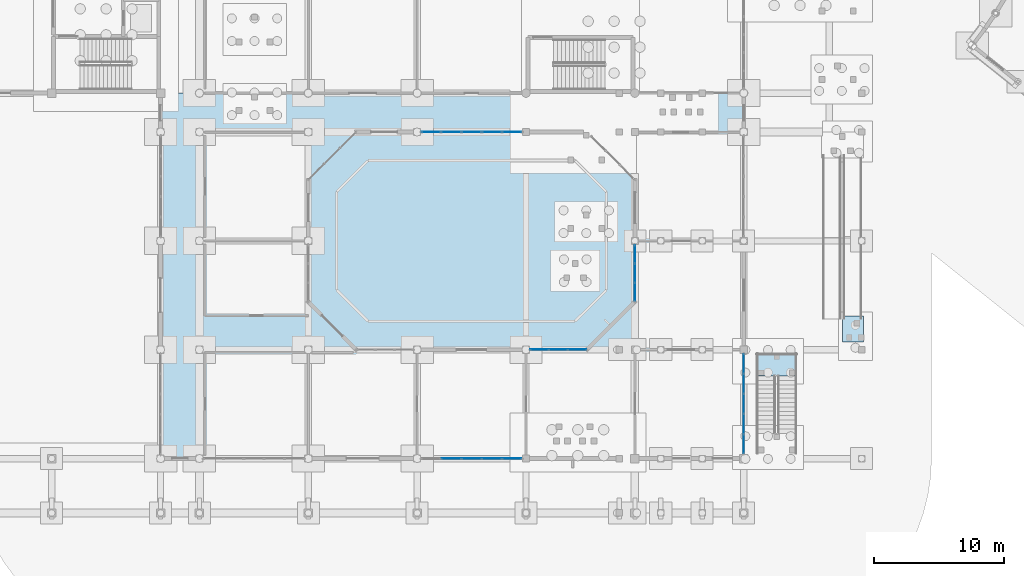
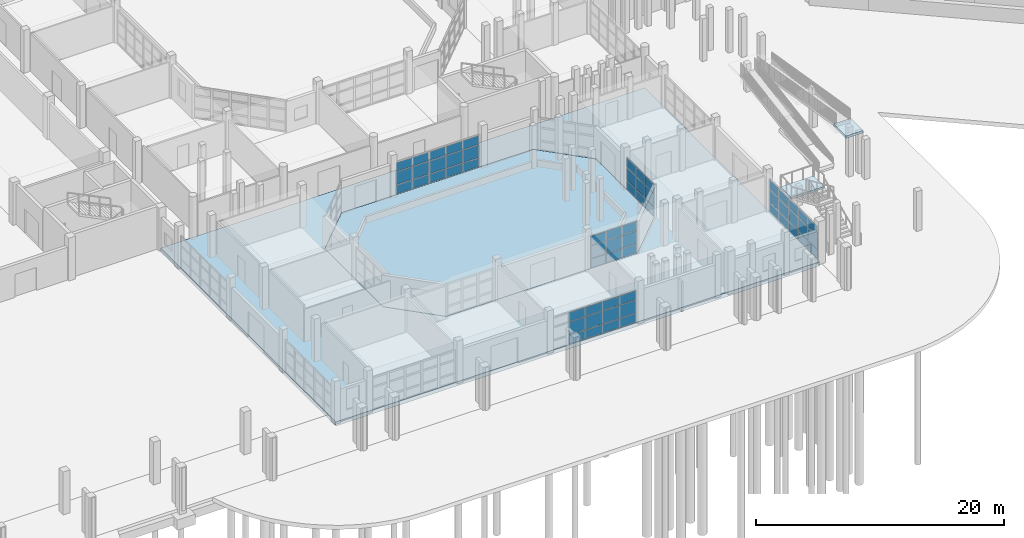
# One storey, part 45 of 88: 60 plates, 4 slabs, 7 elements without a shape of their own.
"""IFC4 building model written with IfcOpenShell, lengths in metres."""

from ifc_helpers import new_model, si_unit, direction, frame, origin, origin_2d, place, context, subcontext, project, spatial, polyline, rectangle, outline, extrude, material, layer, layer_set, type_object, element, aggregate, save


model = new_model("IFC4")

# Units and contexts
model_context = context("Model", 3, precision=1e-05, world=origin(), true_north=direction((0.0, 1.0)))
body_context = subcontext(model_context, "Body", "Model", "MODEL_VIEW")
ifc_project = project(units=[si_unit("LENGTHUNIT", "METRE"), si_unit("AREAUNIT", "SQUARE_METRE"), si_unit("VOLUMEUNIT", "CUBIC_METRE"), si_unit("PLANEANGLEUNIT", "RADIAN"), si_unit("MASSUNIT", "GRAM", prefix="KILO")], contexts=[model_context])

# Site, building, storey
site_placement = place(None, origin())
site = spatial("IfcSite", under=ifc_project, at=site_placement, CompositionType="ELEMENT")
building_placement = place(site_placement, origin())
building = spatial("IfcBuilding", under=site, at=building_placement, Name="Vanh Quang Courtyard School", CompositionType="ELEMENT")
storey_placement = place(building_placement, origin())
storey = spatial("IfcBuildingStorey", under=building, at=storey_placement, Name="L00", CompositionType="ELEMENT", Elevation=0.0)

# Curtain wall, plates
ifc_material_1 = material(Name="Thermally broken aluminium unitised curtain wall", Category="aluminium")
curtain_wall_type_1 = type_object("IfcCurtainWallType", Name="CW-SYS-07", PredefinedType="NOTDEFINED", material=ifc_material_1)
curtain_wall_1_placement = place(storey_placement, origin())
curtain_wall_1 = element("IfcCurtainWall", 1, at=curtain_wall_1_placement, inside=storey, type_object=curtain_wall_type_1, Name="Curtain Wall CW-07 (L00)", PredefinedType="NOTDEFINED")
ifc_material_2 = material(Name="Low-E laminated double glazing", Category="glass")
ifc_layer_1 = layer(ifc_material_2, 0.028076171875)
ifc_layer_set_1 = layer_set([ifc_layer_1], Name="Low-E laminated double glazing")
plate_type_1 = type_object("IfcPlateType", Name="CW-PNL-28", PredefinedType="CURTAIN_PANEL", material=ifc_layer_set_1)
plate_1_placement = place(storey_placement, frame((119.39990234375, 11.523681640625, 0.06005859375), z_axis=(0.0, 0.0, 1.0), x_axis=(0.0, -1.0, 0.0)))
plate_1 = element("IfcPlate", 2, at=plate_1_placement, type_object=plate_type_1, Name="CW-07 panel 1.1", PredefinedType="CURTAIN_PANEL", context=body_context, shape_type="SweptSolid", body=[
    extrude(rectangle(XDim=1.466796875, YDim=0.028076171875, at=origin_2d()), origin(), (0.0, 0.0, 1.0), 0.860107421875),
])
plate_2_placement = place(storey_placement, frame((119.39990234375, 11.523681640625, 0.97998046875), z_axis=(0.0, 0.0, 1.0), x_axis=(0.0, -1.0, 0.0)))
plate_2 = element("IfcPlate", 3, at=plate_2_placement, type_object=plate_type_1, Name="CW-07 panel 1.2", PredefinedType="CURTAIN_PANEL", context=body_context, shape_type="SweptSolid", body=[
    extrude(rectangle(XDim=1.466796875, YDim=0.028076171875, at=origin_2d()), origin(), (0.0, 0.0, 1.0), 1.239990234375),
])
plate_3_placement = place(storey_placement, frame((119.39990234375, 11.523681640625, 2.280029296875), z_axis=(0.0, 0.0, 1.0), x_axis=(0.0, -1.0, 0.0)))
plate_3 = element("IfcPlate", 4, at=plate_3_placement, type_object=plate_type_1, Name="CW-07 panel 1.3", PredefinedType="CURTAIN_PANEL", context=body_context, shape_type="SweptSolid", body=[
    extrude(rectangle(XDim=1.466796875, YDim=0.028076171875, at=origin_2d()), origin(), (0.0, 0.0, 1.0), 0.93994140625),
])
plate_4_placement = place(storey_placement, frame((119.39990234375, 9.981689453125, 0.06005859375), z_axis=(0.0, 0.0, 1.0), x_axis=(0.0, -1.0, 0.0)))
plate_4 = element("IfcPlate", 5, at=plate_4_placement, type_object=plate_type_1, Name="CW-07 panel 2.1", PredefinedType="CURTAIN_PANEL", context=body_context, shape_type="SweptSolid", body=[
    extrude(rectangle(XDim=1.496826171875, YDim=0.028076171875, at=origin_2d()), origin(), (0.0, 0.0, 1.0), 0.860107421875),
])
plate_5_placement = place(storey_placement, frame((119.39990234375, 9.981689453125, 0.97998046875), z_axis=(0.0, 0.0, 1.0), x_axis=(0.0, -1.0, 0.0)))
plate_5 = element("IfcPlate", 6, at=plate_5_placement, type_object=plate_type_1, Name="CW-07 panel 2.2", PredefinedType="CURTAIN_PANEL", context=body_context, shape_type="SweptSolid", body=[
    extrude(rectangle(XDim=1.496826171875, YDim=0.028076171875, at=origin_2d()), origin(), (0.0, 0.0, 1.0), 1.239990234375),
])
plate_6_placement = place(storey_placement, frame((119.39990234375, 9.981689453125, 2.280029296875), z_axis=(0.0, 0.0, 1.0), x_axis=(0.0, -1.0, 0.0)))
plate_6 = element("IfcPlate", 7, at=plate_6_placement, type_object=plate_type_1, Name="CW-07 panel 2.3", PredefinedType="CURTAIN_PANEL", context=body_context, shape_type="SweptSolid", body=[
    extrude(rectangle(XDim=1.496826171875, YDim=0.028076171875, at=origin_2d()), origin(), (0.0, 0.0, 1.0), 0.93994140625),
])
plate_7_placement = place(storey_placement, frame((119.39990234375, 8.425048828125, 0.06005859375), z_axis=(0.0, 0.0, 1.0), x_axis=(0.0, -1.0, 0.0)))
plate_7 = element("IfcPlate", 8, at=plate_7_placement, type_object=plate_type_1, Name="CW-07 panel 3.1", PredefinedType="CURTAIN_PANEL", context=body_context, shape_type="SweptSolid", body=[
    extrude(rectangle(XDim=1.496826171875, YDim=0.028076171875, at=origin_2d()), origin(), (0.0, 0.0, 1.0), 0.860107421875),
])
plate_8_placement = place(storey_placement, frame((119.39990234375, 8.425048828125, 0.97998046875), z_axis=(0.0, 0.0, 1.0), x_axis=(0.0, -1.0, 0.0)))
plate_8 = element("IfcPlate", 9, at=plate_8_placement, type_object=plate_type_1, Name="CW-07 panel 3.2", PredefinedType="CURTAIN_PANEL", context=body_context, shape_type="SweptSolid", body=[
    extrude(rectangle(XDim=1.496826171875, YDim=0.028076171875, at=origin_2d()), origin(), (0.0, 0.0, 1.0), 1.239990234375),
])
plate_9_placement = place(storey_placement, frame((119.39990234375, 8.425048828125, 2.280029296875), z_axis=(0.0, 0.0, 1.0), x_axis=(0.0, -1.0, 0.0)))
plate_9 = element("IfcPlate", 10, at=plate_9_placement, type_object=plate_type_1, Name="CW-07 panel 3.3", PredefinedType="CURTAIN_PANEL", context=body_context, shape_type="SweptSolid", body=[
    extrude(rectangle(XDim=1.496826171875, YDim=0.028076171875, at=origin_2d()), origin(), (0.0, 0.0, 1.0), 0.93994140625),
])
plate_10_placement = place(storey_placement, frame((119.39990234375, 6.8681640625, 0.06005859375), z_axis=(0.0, 0.0, 1.0), x_axis=(0.0, -1.0, 0.0)))
plate_10 = element("IfcPlate", 11, at=plate_10_placement, type_object=plate_type_1, Name="CW-07 panel 4.1", PredefinedType="CURTAIN_PANEL", context=body_context, shape_type="SweptSolid", body=[
    extrude(rectangle(XDim=1.496826171875, YDim=0.028076171875, at=origin_2d()), origin(), (0.0, 0.0, 1.0), 0.860107421875),
])
plate_11_placement = place(storey_placement, frame((119.39990234375, 6.8681640625, 0.97998046875), z_axis=(0.0, 0.0, 1.0), x_axis=(0.0, -1.0, 0.0)))
plate_11 = element("IfcPlate", 12, at=plate_11_placement, type_object=plate_type_1, Name="CW-07 panel 4.2", PredefinedType="CURTAIN_PANEL", context=body_context, shape_type="SweptSolid", body=[
    extrude(rectangle(XDim=1.496826171875, YDim=0.028076171875, at=origin_2d()), origin(), (0.0, 0.0, 1.0), 1.239990234375),
])
plate_12_placement = place(storey_placement, frame((119.39990234375, 6.8681640625, 2.280029296875), z_axis=(0.0, 0.0, 1.0), x_axis=(0.0, -1.0, 0.0)))
plate_12 = element("IfcPlate", 13, at=plate_12_placement, type_object=plate_type_1, Name="CW-07 panel 4.3", PredefinedType="CURTAIN_PANEL", context=body_context, shape_type="SweptSolid", body=[
    extrude(rectangle(XDim=1.496826171875, YDim=0.028076171875, at=origin_2d()), origin(), (0.0, 0.0, 1.0), 0.93994140625),
])
plate_13_placement = place(storey_placement, frame((119.39990234375, 5.326416015625, 0.06005859375), z_axis=(0.0, 0.0, 1.0), x_axis=(0.0, -1.0, 0.0)))
plate_13 = element("IfcPlate", 14, at=plate_13_placement, type_object=plate_type_1, Name="CW-07 panel 5.1", PredefinedType="CURTAIN_PANEL", context=body_context, shape_type="SweptSolid", body=[
    extrude(rectangle(XDim=1.466796875, YDim=0.028076171875, at=origin_2d()), origin(), (0.0, 0.0, 1.0), 0.860107421875),
])
plate_14_placement = place(storey_placement, frame((119.39990234375, 5.326416015625, 0.97998046875), z_axis=(0.0, 0.0, 1.0), x_axis=(0.0, -1.0, 0.0)))
plate_14 = element("IfcPlate", 15, at=plate_14_placement, type_object=plate_type_1, Name="CW-07 panel 5.2", PredefinedType="CURTAIN_PANEL", context=body_context, shape_type="SweptSolid", body=[
    extrude(rectangle(XDim=1.466796875, YDim=0.028076171875, at=origin_2d()), origin(), (0.0, 0.0, 1.0), 1.239990234375),
])
plate_15_placement = place(storey_placement, frame((119.39990234375, 5.326416015625, 2.280029296875), z_axis=(0.0, 0.0, 1.0), x_axis=(0.0, -1.0, 0.0)))
plate_15 = element("IfcPlate", 16, at=plate_15_placement, type_object=plate_type_1, Name="CW-07 panel 5.3", PredefinedType="CURTAIN_PANEL", context=body_context, shape_type="SweptSolid", body=[
    extrude(rectangle(XDim=1.466796875, YDim=0.028076171875, at=origin_2d()), origin(), (0.0, 0.0, 1.0), 0.93994140625),
])
aggregate(curtain_wall_1, [plate_1, plate_2, plate_3, plate_4, plate_5, plate_6, plate_7, plate_8, plate_9, plate_10, plate_11, plate_12, plate_13, plate_14, plate_15])

curtain_wall_type_2 = type_object("IfcCurtainWallType", Name="CW-SYS-10", PredefinedType="NOTDEFINED", material=ifc_material_1)
curtain_wall_2_placement = place(storey_placement, origin())
curtain_wall_2 = element("IfcCurtainWall", 17, at=curtain_wall_2_placement, inside=storey, type_object=curtain_wall_type_2, Name="Curtain Wall CW-10 (L00)", PredefinedType="NOTDEFINED")
plate_16_placement = place(storey_placement, frame((111.0, 17.05029296875, 0.06982421875), z_axis=(0.0, 0.0, 1.0), x_axis=(0.0, 1.0, 0.0)))
plate_16 = element("IfcPlate", 18, at=plate_16_placement, type_object=plate_type_1, Name="CW-10 panel 1.1", PredefinedType="CURTAIN_PANEL", context=body_context, shape_type="SweptSolid", body=[
    extrude(rectangle(XDim=1.36865234375, YDim=0.028076171875, at=origin_2d()), origin(), (0.0, 0.0, 1.0), 0.844970703125),
])
plate_17_placement = place(storey_placement, frame((111.0, 17.05029296875, 0.985107421875), z_axis=(0.0, 0.0, 1.0), x_axis=(0.0, 1.0, 0.0)))
plate_17 = element("IfcPlate", 19, at=plate_17_placement, type_object=plate_type_1, Name="CW-10 panel 1.2", PredefinedType="CURTAIN_PANEL", context=body_context, shape_type="SweptSolid", body=[
    extrude(rectangle(XDim=1.36865234375, YDim=0.028076171875, at=origin_2d()), origin(), (0.0, 0.0, 1.0), 1.22998046875),
])
plate_18_placement = place(storey_placement, frame((111.0, 17.05029296875, 2.28515625), z_axis=(0.0, 0.0, 1.0), x_axis=(0.0, 1.0, 0.0)))
plate_18 = element("IfcPlate", 20, at=plate_18_placement, type_object=plate_type_1, Name="CW-10 panel 1.3", PredefinedType="CURTAIN_PANEL", context=body_context, shape_type="SweptSolid", body=[
    extrude(rectangle(XDim=1.36865234375, YDim=0.028076171875, at=origin_2d()), origin(), (0.0, 0.0, 1.0), 0.864990234375),
])
plate_19_placement = place(storey_placement, frame((111.0, 18.506591796875, 0.06982421875), z_axis=(0.0, 0.0, 1.0), x_axis=(0.0, 1.0, 0.0)))
plate_19 = element("IfcPlate", 21, at=plate_19_placement, type_object=plate_type_1, Name="CW-10 panel 2.1", PredefinedType="CURTAIN_PANEL", context=body_context, shape_type="SweptSolid", body=[
    extrude(rectangle(XDim=1.403564453125, YDim=0.028076171875, at=origin_2d()), origin(), (0.0, 0.0, 1.0), 0.844970703125),
])
plate_20_placement = place(storey_placement, frame((111.0, 18.506591796875, 0.985107421875), z_axis=(0.0, 0.0, 1.0), x_axis=(0.0, 1.0, 0.0)))
plate_20 = element("IfcPlate", 22, at=plate_20_placement, type_object=plate_type_1, Name="CW-10 panel 2.2", PredefinedType="CURTAIN_PANEL", context=body_context, shape_type="SweptSolid", body=[
    extrude(rectangle(XDim=1.403564453125, YDim=0.028076171875, at=origin_2d()), origin(), (0.0, 0.0, 1.0), 1.22998046875),
])
plate_21_placement = place(storey_placement, frame((111.0, 18.506591796875, 2.28515625), z_axis=(0.0, 0.0, 1.0), x_axis=(0.0, 1.0, 0.0)))
plate_21 = element("IfcPlate", 23, at=plate_21_placement, type_object=plate_type_1, Name="CW-10 panel 2.3", PredefinedType="CURTAIN_PANEL", context=body_context, shape_type="SweptSolid", body=[
    extrude(rectangle(XDim=1.403564453125, YDim=0.028076171875, at=origin_2d()), origin(), (0.0, 0.0, 1.0), 0.864990234375),
])
plate_22_placement = place(storey_placement, frame((111.0, 19.962646484375, 0.06982421875), z_axis=(0.0, 0.0, 1.0), x_axis=(0.0, 1.0, 0.0)))
plate_22 = element("IfcPlate", 24, at=plate_22_placement, type_object=plate_type_1, Name="CW-10 panel 3.1", PredefinedType="CURTAIN_PANEL", context=body_context, shape_type="SweptSolid", body=[
    extrude(rectangle(XDim=1.36865234375, YDim=0.028076171875, at=origin_2d()), origin(), (0.0, 0.0, 1.0), 0.844970703125),
])
plate_23_placement = place(storey_placement, frame((111.0, 19.962646484375, 0.985107421875), z_axis=(0.0, 0.0, 1.0), x_axis=(0.0, 1.0, 0.0)))
plate_23 = element("IfcPlate", 25, at=plate_23_placement, type_object=plate_type_1, Name="CW-10 panel 3.2", PredefinedType="CURTAIN_PANEL", context=body_context, shape_type="SweptSolid", body=[
    extrude(rectangle(XDim=1.36865234375, YDim=0.028076171875, at=origin_2d()), origin(), (0.0, 0.0, 1.0), 1.22998046875),
])
plate_24_placement = place(storey_placement, frame((111.0, 19.962646484375, 2.28515625), z_axis=(0.0, 0.0, 1.0), x_axis=(0.0, 1.0, 0.0)))
plate_24 = element("IfcPlate", 26, at=plate_24_placement, type_object=plate_type_1, Name="CW-10 panel 3.3", PredefinedType="CURTAIN_PANEL", context=body_context, shape_type="SweptSolid", body=[
    extrude(rectangle(XDim=1.36865234375, YDim=0.028076171875, at=origin_2d()), origin(), (0.0, 0.0, 1.0), 0.864990234375),
])
aggregate(curtain_wall_2, [plate_16, plate_17, plate_18, plate_19, plate_20, plate_21, plate_22, plate_23, plate_24])

curtain_wall_type_3 = type_object("IfcCurtainWallType", Name="CW-SYS-01", PredefinedType="NOTDEFINED", material=ifc_material_1)
curtain_wall_3_placement = place(storey_placement, origin())
curtain_wall_3 = element("IfcCurtainWall", 27, at=curtain_wall_3_placement, inside=storey, type_object=curtain_wall_type_3, Name="Curtain Wall CW-01 (L00)", PredefinedType="NOTDEFINED")
ifc_layer_2 = layer(ifc_material_2, 0.031982421875)
ifc_layer_set_2 = layer_set([ifc_layer_2], Name="Low-E laminated double glazing")
plate_type_2 = type_object("IfcPlateType", Name="CW-PNL-32", PredefinedType="CURTAIN_PANEL", material=ifc_layer_set_2)
plate_25_placement = place(storey_placement, frame((101.51611328125, 4.199951171875, 0.06982421875), z_axis=(0.0, 0.0, 1.0), x_axis=(-1.0, 0.0, 0.0)))
plate_25 = element("IfcPlate", 28, at=plate_25_placement, type_object=plate_type_2, Name="CW-01 panel 1.1", PredefinedType="CURTAIN_PANEL", context=body_context, shape_type="SweptSolid", body=[
    extrude(rectangle(XDim=1.4619140625, YDim=0.031982421875, at=origin_2d()), origin(), (0.0, 0.0, 1.0), 0.844970703125),
])
plate_26_placement = place(storey_placement, frame((101.51611328125, 4.199951171875, 0.985107421875), z_axis=(0.0, 0.0, 1.0), x_axis=(-1.0, 0.0, 0.0)))
plate_26 = element("IfcPlate", 29, at=plate_26_placement, type_object=plate_type_2, Name="CW-01 panel 1.2", PredefinedType="CURTAIN_PANEL", context=body_context, shape_type="SweptSolid", body=[
    extrude(rectangle(XDim=1.4619140625, YDim=0.031982421875, at=origin_2d()), origin(), (0.0, 0.0, 1.0), 1.22998046875),
])
plate_27_placement = place(storey_placement, frame((101.51611328125, 4.199951171875, 2.28515625), z_axis=(0.0, 0.0, 1.0), x_axis=(-1.0, 0.0, 0.0)))
plate_27 = element("IfcPlate", 30, at=plate_27_placement, type_object=plate_type_2, Name="CW-01 panel 1.3", PredefinedType="CURTAIN_PANEL", context=body_context, shape_type="SweptSolid", body=[
    extrude(rectangle(XDim=1.4619140625, YDim=0.031982421875, at=origin_2d()), origin(), (0.0, 0.0, 1.0), 0.864990234375),
])
plate_28_placement = place(storey_placement, frame((99.966796875, 4.199951171875, 0.06982421875), z_axis=(0.0, 0.0, 1.0), x_axis=(-1.0, 0.0, 0.0)))
plate_28 = element("IfcPlate", 31, at=plate_28_placement, type_object=plate_type_2, Name="CW-01 panel 2.1", PredefinedType="CURTAIN_PANEL", context=body_context, shape_type="SweptSolid", body=[
    extrude(rectangle(XDim=1.496826171875, YDim=0.031982421875, at=origin_2d()), origin(), (0.0, 0.0, 1.0), 0.844970703125),
])
plate_29_placement = place(storey_placement, frame((99.966796875, 4.199951171875, 0.985107421875), z_axis=(0.0, 0.0, 1.0), x_axis=(-1.0, 0.0, 0.0)))
plate_29 = element("IfcPlate", 32, at=plate_29_placement, type_object=plate_type_2, Name="CW-01 panel 2.2", PredefinedType="CURTAIN_PANEL", context=body_context, shape_type="SweptSolid", body=[
    extrude(rectangle(XDim=1.496826171875, YDim=0.031982421875, at=origin_2d()), origin(), (0.0, 0.0, 1.0), 1.22998046875),
])
plate_30_placement = place(storey_placement, frame((99.966796875, 4.199951171875, 2.28515625), z_axis=(0.0, 0.0, 1.0), x_axis=(-1.0, 0.0, 0.0)))
plate_30 = element("IfcPlate", 33, at=plate_30_placement, type_object=plate_type_2, Name="CW-01 panel 2.3", PredefinedType="CURTAIN_PANEL", context=body_context, shape_type="SweptSolid", body=[
    extrude(rectangle(XDim=1.496826171875, YDim=0.031982421875, at=origin_2d()), origin(), (0.0, 0.0, 1.0), 0.864990234375),
])
plate_31_placement = place(storey_placement, frame((98.39990234375, 4.199951171875, 0.06982421875), z_axis=(0.0, 0.0, 1.0), x_axis=(-1.0, 0.0, 0.0)))
plate_31 = element("IfcPlate", 34, at=plate_31_placement, type_object=plate_type_2, Name="CW-01 panel 3.1", PredefinedType="CURTAIN_PANEL", context=body_context, shape_type="SweptSolid", body=[
    extrude(rectangle(XDim=1.496826171875, YDim=0.031982421875, at=origin_2d()), origin(), (0.0, 0.0, 1.0), 0.844970703125),
])
plate_32_placement = place(storey_placement, frame((98.39990234375, 4.199951171875, 0.985107421875), z_axis=(0.0, 0.0, 1.0), x_axis=(-1.0, 0.0, 0.0)))
plate_32 = element("IfcPlate", 35, at=plate_32_placement, type_object=plate_type_2, Name="CW-01 panel 3.2", PredefinedType="CURTAIN_PANEL", context=body_context, shape_type="SweptSolid", body=[
    extrude(rectangle(XDim=1.496826171875, YDim=0.031982421875, at=origin_2d()), origin(), (0.0, 0.0, 1.0), 1.22998046875),
])
plate_33_placement = place(storey_placement, frame((98.39990234375, 4.199951171875, 2.28515625), z_axis=(0.0, 0.0, 1.0), x_axis=(-1.0, 0.0, 0.0)))
plate_33 = element("IfcPlate", 36, at=plate_33_placement, type_object=plate_type_2, Name="CW-01 panel 3.3", PredefinedType="CURTAIN_PANEL", context=body_context, shape_type="SweptSolid", body=[
    extrude(rectangle(XDim=1.496826171875, YDim=0.031982421875, at=origin_2d()), origin(), (0.0, 0.0, 1.0), 0.864990234375),
])
plate_34_placement = place(storey_placement, frame((96.833251953125, 4.199951171875, 0.06982421875), z_axis=(0.0, 0.0, 1.0), x_axis=(-1.0, 0.0, 0.0)))
plate_34 = element("IfcPlate", 37, at=plate_34_placement, type_object=plate_type_2, Name="CW-01 panel 4.1", PredefinedType="CURTAIN_PANEL", context=body_context, shape_type="SweptSolid", body=[
    extrude(rectangle(XDim=1.496826171875, YDim=0.031982421875, at=origin_2d()), origin(), (0.0, 0.0, 1.0), 0.844970703125),
])
plate_35_placement = place(storey_placement, frame((96.833251953125, 4.199951171875, 0.985107421875), z_axis=(0.0, 0.0, 1.0), x_axis=(-1.0, 0.0, 0.0)))
plate_35 = element("IfcPlate", 38, at=plate_35_placement, type_object=plate_type_2, Name="CW-01 panel 4.2", PredefinedType="CURTAIN_PANEL", context=body_context, shape_type="SweptSolid", body=[
    extrude(rectangle(XDim=1.496826171875, YDim=0.031982421875, at=origin_2d()), origin(), (0.0, 0.0, 1.0), 1.22998046875),
])
plate_36_placement = place(storey_placement, frame((96.833251953125, 4.199951171875, 2.28515625), z_axis=(0.0, 0.0, 1.0), x_axis=(-1.0, 0.0, 0.0)))
plate_36 = element("IfcPlate", 39, at=plate_36_placement, type_object=plate_type_2, Name="CW-01 panel 4.3", PredefinedType="CURTAIN_PANEL", context=body_context, shape_type="SweptSolid", body=[
    extrude(rectangle(XDim=1.496826171875, YDim=0.031982421875, at=origin_2d()), origin(), (0.0, 0.0, 1.0), 0.864990234375),
])
aggregate(curtain_wall_3, [plate_25, plate_26, plate_27, plate_28, plate_29, plate_30, plate_31, plate_32, plate_33, plate_34, plate_35, plate_36])

curtain_wall_4_placement = place(storey_placement, origin())
curtain_wall_4 = element("IfcCurtainWall", 40, at=curtain_wall_4_placement, inside=storey, type_object=curtain_wall_type_3, Name="Curtain Wall CW-01 (L00)", PredefinedType="NOTDEFINED")
plate_37_placement = place(storey_placement, frame((101.513671875, 29.39990234375, 0.080078125), z_axis=(0.0, 0.0, 1.0), x_axis=(-1.0, 0.0, 0.0)))
plate_37 = element("IfcPlate", 41, at=plate_37_placement, type_object=plate_type_2, Name="CW-01 panel 1.1", PredefinedType="CURTAIN_PANEL", context=body_context, shape_type="SweptSolid", body=[
    extrude(rectangle(XDim=1.44677734375, YDim=0.031982421875, at=origin_2d()), origin(), (0.0, 0.0, 1.0), 0.830078125),
])
plate_38_placement = place(storey_placement, frame((101.513671875, 29.39990234375, 0.990234375), z_axis=(0.0, 0.0, 1.0), x_axis=(-1.0, 0.0, 0.0)))
plate_38 = element("IfcPlate", 42, at=plate_38_placement, type_object=plate_type_2, Name="CW-01 panel 1.2", PredefinedType="CURTAIN_PANEL", context=body_context, shape_type="SweptSolid", body=[
    extrude(rectangle(XDim=1.44677734375, YDim=0.031982421875, at=origin_2d()), origin(), (0.0, 0.0, 1.0), 1.219970703125),
])
plate_39_placement = place(storey_placement, frame((101.513671875, 29.39990234375, 2.2900390625), z_axis=(0.0, 0.0, 1.0), x_axis=(-1.0, 0.0, 0.0)))
plate_39 = element("IfcPlate", 43, at=plate_39_placement, type_object=plate_type_2, Name="CW-01 panel 1.3", PredefinedType="CURTAIN_PANEL", context=body_context, shape_type="SweptSolid", body=[
    extrude(rectangle(XDim=1.44677734375, YDim=0.031982421875, at=origin_2d()), origin(), (0.0, 0.0, 1.0), 0.85009765625),
])
plate_40_placement = place(storey_placement, frame((99.966796875, 29.39990234375, 0.080078125), z_axis=(0.0, 0.0, 1.0), x_axis=(-1.0, 0.0, 0.0)))
plate_40 = element("IfcPlate", 44, at=plate_40_placement, type_object=plate_type_2, Name="CW-01 panel 2.1", PredefinedType="CURTAIN_PANEL", context=body_context, shape_type="SweptSolid", body=[
    extrude(rectangle(XDim=1.48681640625, YDim=0.031982421875, at=origin_2d()), origin(), (0.0, 0.0, 1.0), 0.830078125),
])
plate_41_placement = place(storey_placement, frame((99.966796875, 29.39990234375, 0.990234375), z_axis=(0.0, 0.0, 1.0), x_axis=(-1.0, 0.0, 0.0)))
plate_41 = element("IfcPlate", 45, at=plate_41_placement, type_object=plate_type_2, Name="CW-01 panel 2.2", PredefinedType="CURTAIN_PANEL", context=body_context, shape_type="SweptSolid", body=[
    extrude(rectangle(XDim=1.48681640625, YDim=0.031982421875, at=origin_2d()), origin(), (0.0, 0.0, 1.0), 1.219970703125),
])
plate_42_placement = place(storey_placement, frame((99.966796875, 29.39990234375, 2.2900390625), z_axis=(0.0, 0.0, 1.0), x_axis=(-1.0, 0.0, 0.0)))
plate_42 = element("IfcPlate", 46, at=plate_42_placement, type_object=plate_type_2, Name="CW-01 panel 2.3", PredefinedType="CURTAIN_PANEL", context=body_context, shape_type="SweptSolid", body=[
    extrude(rectangle(XDim=1.48681640625, YDim=0.031982421875, at=origin_2d()), origin(), (0.0, 0.0, 1.0), 0.85009765625),
])
plate_43_placement = place(storey_placement, frame((98.39990234375, 29.39990234375, 0.080078125), z_axis=(0.0, 0.0, 1.0), x_axis=(-1.0, 0.0, 0.0)))
plate_43 = element("IfcPlate", 47, at=plate_43_placement, type_object=plate_type_2, Name="CW-01 panel 3.1", PredefinedType="CURTAIN_PANEL", context=body_context, shape_type="SweptSolid", body=[
    extrude(rectangle(XDim=1.48681640625, YDim=0.031982421875, at=origin_2d()), origin(), (0.0, 0.0, 1.0), 0.830078125),
])
plate_44_placement = place(storey_placement, frame((98.39990234375, 29.39990234375, 0.990234375), z_axis=(0.0, 0.0, 1.0), x_axis=(-1.0, 0.0, 0.0)))
plate_44 = element("IfcPlate", 48, at=plate_44_placement, type_object=plate_type_2, Name="CW-01 panel 3.2", PredefinedType="CURTAIN_PANEL", context=body_context, shape_type="SweptSolid", body=[
    extrude(rectangle(XDim=1.48681640625, YDim=0.031982421875, at=origin_2d()), origin(), (0.0, 0.0, 1.0), 1.219970703125),
])
plate_45_placement = place(storey_placement, frame((98.39990234375, 29.39990234375, 2.2900390625), z_axis=(0.0, 0.0, 1.0), x_axis=(-1.0, 0.0, 0.0)))
plate_45 = element("IfcPlate", 49, at=plate_45_placement, type_object=plate_type_2, Name="CW-01 panel 3.3", PredefinedType="CURTAIN_PANEL", context=body_context, shape_type="SweptSolid", body=[
    extrude(rectangle(XDim=1.48681640625, YDim=0.031982421875, at=origin_2d()), origin(), (0.0, 0.0, 1.0), 0.85009765625),
])
plate_46_placement = place(storey_placement, frame((96.833251953125, 29.39990234375, 0.080078125), z_axis=(0.0, 0.0, 1.0), x_axis=(-1.0, 0.0, 0.0)))
plate_46 = element("IfcPlate", 50, at=plate_46_placement, type_object=plate_type_2, Name="CW-01 panel 4.1", PredefinedType="CURTAIN_PANEL", context=body_context, shape_type="SweptSolid", body=[
    extrude(rectangle(XDim=1.48681640625, YDim=0.031982421875, at=origin_2d()), origin(), (0.0, 0.0, 1.0), 0.830078125),
])
plate_47_placement = place(storey_placement, frame((96.833251953125, 29.39990234375, 0.990234375), z_axis=(0.0, 0.0, 1.0), x_axis=(-1.0, 0.0, 0.0)))
plate_47 = element("IfcPlate", 51, at=plate_47_placement, type_object=plate_type_2, Name="CW-01 panel 4.2", PredefinedType="CURTAIN_PANEL", context=body_context, shape_type="SweptSolid", body=[
    extrude(rectangle(XDim=1.48681640625, YDim=0.031982421875, at=origin_2d()), origin(), (0.0, 0.0, 1.0), 1.219970703125),
])
plate_48_placement = place(storey_placement, frame((96.833251953125, 29.39990234375, 2.2900390625), z_axis=(0.0, 0.0, 1.0), x_axis=(-1.0, 0.0, 0.0)))
plate_48 = element("IfcPlate", 52, at=plate_48_placement, type_object=plate_type_2, Name="CW-01 panel 4.3", PredefinedType="CURTAIN_PANEL", context=body_context, shape_type="SweptSolid", body=[
    extrude(rectangle(XDim=1.48681640625, YDim=0.031982421875, at=origin_2d()), origin(), (0.0, 0.0, 1.0), 0.85009765625),
])
plate_49_placement = place(storey_placement, frame((95.286376953125, 29.39990234375, 0.080078125), z_axis=(0.0, 0.0, 1.0), x_axis=(-1.0, 0.0, 0.0)))
plate_49 = element("IfcPlate", 53, at=plate_49_placement, type_object=plate_type_2, Name="CW-01 panel 5.1", PredefinedType="CURTAIN_PANEL", context=body_context, shape_type="SweptSolid", body=[
    extrude(rectangle(XDim=1.44677734375, YDim=0.031982421875, at=origin_2d()), origin(), (0.0, 0.0, 1.0), 0.830078125),
])
plate_50_placement = place(storey_placement, frame((95.286376953125, 29.39990234375, 0.990234375), z_axis=(0.0, 0.0, 1.0), x_axis=(-1.0, 0.0, 0.0)))
plate_50 = element("IfcPlate", 54, at=plate_50_placement, type_object=plate_type_2, Name="CW-01 panel 5.2", PredefinedType="CURTAIN_PANEL", context=body_context, shape_type="SweptSolid", body=[
    extrude(rectangle(XDim=1.44677734375, YDim=0.031982421875, at=origin_2d()), origin(), (0.0, 0.0, 1.0), 1.219970703125),
])
plate_51_placement = place(storey_placement, frame((95.286376953125, 29.39990234375, 2.2900390625), z_axis=(0.0, 0.0, 1.0), x_axis=(-1.0, 0.0, 0.0)))
plate_51 = element("IfcPlate", 55, at=plate_51_placement, type_object=plate_type_2, Name="CW-01 panel 5.3", PredefinedType="CURTAIN_PANEL", context=body_context, shape_type="SweptSolid", body=[
    extrude(rectangle(XDim=1.44677734375, YDim=0.031982421875, at=origin_2d()), origin(), (0.0, 0.0, 1.0), 0.85009765625),
])
aggregate(curtain_wall_4, [plate_37, plate_38, plate_39, plate_40, plate_41, plate_42, plate_43, plate_44, plate_45, plate_46, plate_47, plate_48, plate_49, plate_50, plate_51])

curtain_wall_5_placement = place(storey_placement, origin())
curtain_wall_5 = element("IfcCurtainWall", 56, at=curtain_wall_5_placement, inside=storey, type_object=curtain_wall_type_2, Name="Curtain Wall CW-10 (L00)", PredefinedType="NOTDEFINED")
plate_52_placement = place(storey_placement, frame((103.634765625, 12.60009765625, 0.06005859375), z_axis=(0.0, 0.0, 1.0), x_axis=(1.0, 0.0, 0.0)))
plate_52 = element("IfcPlate", 57, at=plate_52_placement, type_object=plate_type_2, Name="CW-10 panel 1.1", PredefinedType="CURTAIN_PANEL", context=body_context, shape_type="SweptSolid", body=[
    extrude(rectangle(XDim=1.383544921875, YDim=0.031982421875, at=origin_2d()), origin(), (0.0, 0.0, 1.0), 0.860107421875),
])
plate_53_placement = place(storey_placement, frame((103.634765625, 12.60009765625, 0.97998046875), z_axis=(0.0, 0.0, 1.0), x_axis=(1.0, 0.0, 0.0)))
plate_53 = element("IfcPlate", 58, at=plate_53_placement, type_object=plate_type_2, Name="CW-10 panel 1.2", PredefinedType="CURTAIN_PANEL", context=body_context, shape_type="SweptSolid", body=[
    extrude(rectangle(XDim=1.383544921875, YDim=0.031982421875, at=origin_2d()), origin(), (0.0, 0.0, 1.0), 1.239990234375),
])
plate_54_placement = place(storey_placement, frame((103.634765625, 12.60009765625, 2.280029296875), z_axis=(0.0, 0.0, 1.0), x_axis=(1.0, 0.0, 0.0)))
plate_54 = element("IfcPlate", 59, at=plate_54_placement, type_object=plate_type_2, Name="CW-10 panel 1.3", PredefinedType="CURTAIN_PANEL", context=body_context, shape_type="SweptSolid", body=[
    extrude(rectangle(XDim=1.383544921875, YDim=0.031982421875, at=origin_2d()), origin(), (0.0, 0.0, 1.0), 0.8798828125),
])
plate_55_placement = place(storey_placement, frame((105.093505859375, 12.60009765625, 0.06005859375), z_axis=(0.0, 0.0, 1.0), x_axis=(1.0, 0.0, 0.0)))
plate_55 = element("IfcPlate", 60, at=plate_55_placement, type_object=plate_type_2, Name="CW-10 panel 2.1", PredefinedType="CURTAIN_PANEL", context=body_context, shape_type="SweptSolid", body=[
    extrude(rectangle(XDim=1.41357421875, YDim=0.031982421875, at=origin_2d()), origin(), (0.0, 0.0, 1.0), 0.860107421875),
])
plate_56_placement = place(storey_placement, frame((105.093505859375, 12.60009765625, 0.97998046875), z_axis=(0.0, 0.0, 1.0), x_axis=(1.0, 0.0, 0.0)))
plate_56 = element("IfcPlate", 61, at=plate_56_placement, type_object=plate_type_2, Name="CW-10 panel 2.2", PredefinedType="CURTAIN_PANEL", context=body_context, shape_type="SweptSolid", body=[
    extrude(rectangle(XDim=1.41357421875, YDim=0.031982421875, at=origin_2d()), origin(), (0.0, 0.0, 1.0), 1.239990234375),
])
plate_57_placement = place(storey_placement, frame((105.093505859375, 12.60009765625, 2.280029296875), z_axis=(0.0, 0.0, 1.0), x_axis=(1.0, 0.0, 0.0)))
plate_57 = element("IfcPlate", 62, at=plate_57_placement, type_object=plate_type_2, Name="CW-10 panel 2.3", PredefinedType="CURTAIN_PANEL", context=body_context, shape_type="SweptSolid", body=[
    extrude(rectangle(XDim=1.41357421875, YDim=0.031982421875, at=origin_2d()), origin(), (0.0, 0.0, 1.0), 0.8798828125),
])
plate_58_placement = place(storey_placement, frame((106.55224609375, 12.60009765625, 0.06005859375), z_axis=(0.0, 0.0, 1.0), x_axis=(1.0, 0.0, 0.0)))
plate_58 = element("IfcPlate", 63, at=plate_58_placement, type_object=plate_type_2, Name="CW-10 panel 3.1", PredefinedType="CURTAIN_PANEL", context=body_context, shape_type="SweptSolid", body=[
    extrude(rectangle(XDim=1.383544921875, YDim=0.031982421875, at=origin_2d()), origin(), (0.0, 0.0, 1.0), 0.860107421875),
])
plate_59_placement = place(storey_placement, frame((106.55224609375, 12.60009765625, 0.97998046875), z_axis=(0.0, 0.0, 1.0), x_axis=(1.0, 0.0, 0.0)))
plate_59 = element("IfcPlate", 64, at=plate_59_placement, type_object=plate_type_2, Name="CW-10 panel 3.2", PredefinedType="CURTAIN_PANEL", context=body_context, shape_type="SweptSolid", body=[
    extrude(rectangle(XDim=1.383544921875, YDim=0.031982421875, at=origin_2d()), origin(), (0.0, 0.0, 1.0), 1.239990234375),
])
plate_60_placement = place(storey_placement, frame((106.55224609375, 12.60009765625, 2.280029296875), z_axis=(0.0, 0.0, 1.0), x_axis=(1.0, 0.0, 0.0)))
plate_60 = element("IfcPlate", 65, at=plate_60_placement, type_object=plate_type_2, Name="CW-10 panel 3.3", PredefinedType="CURTAIN_PANEL", context=body_context, shape_type="SweptSolid", body=[
    extrude(rectangle(XDim=1.383544921875, YDim=0.031982421875, at=origin_2d()), origin(), (0.0, 0.0, 1.0), 0.8798828125),
])
aggregate(curtain_wall_5, [plate_52, plate_53, plate_54, plate_55, plate_56, plate_57, plate_58, plate_59, plate_60])

# Slabs
ifc_material_3 = material(Name="Concrete C30/37", Category="concrete")
ifc_layer_3 = layer(ifc_material_3, 0.39990234375)
ifc_layer_set_3 = layer_set([ifc_layer_3], Name="Concrete C30/37")
slab_type_1 = type_object("IfcSlabType", Name="SLB-APRON-400", PredefinedType="BASESLAB", material=ifc_layer_set_3)
slab_1_placement = place(storey_placement, frame((0.0, 0.0, -0.39990234375)))
element("IfcSlab", 66, at=slab_1_placement, inside=storey, type_object=slab_type_1, Name="Slab APR-01 (L00)", PredefinedType="BASESLAB", context=body_context, shape_type="SweptSolid", body=[
    extrude(outline(polyline([(111.0, 25.7041015625), (107.303955078125, 29.39990234375), (89.49609375, 29.39990234375), (85.800048828125, 25.7041015625), (85.800048828125, 16.2958984375), (89.49609375, 12.60009765625), (107.303955078125, 12.60009765625), (111.0, 16.2958984375), (111.0, 25.7041015625)])), origin(), (0.0, 0.0, 1.0), 0.39990234375),
])
ifc_layer_4 = layer(ifc_material_3, 0.39990234375)
ifc_layer_set_4 = layer_set([ifc_layer_4], Name="Concrete C30/37")
slab_type_2 = type_object("IfcSlabType", Name="SLB-BASE-400", PredefinedType="BASESLAB", material=ifc_layer_set_4)
slab_2_placement = place(storey_placement, frame((0.0, 0.0, -0.39990234375)))
element("IfcSlab", 67, at=slab_2_placement, inside=storey, type_object=slab_type_2, Name="Slab BSL-01 (L00)", PredefinedType="BASESLAB", context=body_context, shape_type="SweptSolid", body=[
    extrude(outline(polyline([(119.39990234375, 32.39990234375), (74.39990234375, 32.39990234375), (74.39990234375, 4.199951171875), (119.39990234375, 4.199951171875), (119.39990234375, 32.39990234375)]), holes=[polyline([(89.49609375, 12.60009765625), (85.800048828125, 16.2958984375), (85.800048828125, 25.7041015625), (89.49609375, 29.39990234375), (107.303955078125, 29.39990234375), (111.0, 25.7041015625), (111.0, 16.2958984375), (107.303955078125, 12.60009765625), (89.49609375, 12.60009765625)])]), origin(), (0.0, 0.0, 1.0), 0.39990234375),
])

# Ramp, slab
ramp_type = type_object("IfcRampType", Name="RAMP-ACC-1400", PredefinedType="TWO_STRAIGHT_RUN_RAMP", material=ifc_material_3)
ramp_placement = place(storey_placement, origin())
ramp = element("IfcRamp", 68, at=ramp_placement, inside=storey, type_object=ramp_type, Name="Ramp RMP-01 (L00)", PredefinedType="TWO_STRAIGHT_RUN_RAMP")
ifc_layer_5 = layer(ifc_material_3, 0.219970703125)
ifc_layer_set_5 = layer_set([ifc_layer_5], Name="Concrete C30/37")
slab_type_3 = type_object("IfcSlabType", Name="SLB-RMPLND-220", PredefinedType="LANDING", material=ifc_layer_set_5)
slab_3_placement = place(storey_placement, frame((0.0, 0.0, 3.97998046875)))
slab_3 = element("IfcSlab", 69, at=slab_3_placement, type_object=slab_type_3, Name="Slab SL-RMP (L00)", PredefinedType="LANDING", context=body_context, shape_type="SweptSolid", body=[
    extrude(outline(polyline([(128.639892578125, 13.199951171875), (128.639892578125, 15.199951171875), (127.02001953125, 15.199951171875), (127.02001953125, 13.199951171875), (128.639892578125, 13.199951171875)])), origin(), (0.0, 0.0, 1.0), 0.219970703125),
])
aggregate(ramp, [slab_3])

# Stair, slab
stair_type = type_object("IfcStairType", Name="STR-CORE-1450", PredefinedType="HALF_TURN_STAIR", material=ifc_material_3)
stair_placement = place(storey_placement, origin())
stair = element("IfcStair", 70, at=stair_placement, inside=storey, type_object=stair_type, Name="L00 ST-T1", PredefinedType="HALF_TURN_STAIR")
ifc_layer_6 = layer(ifc_material_3, 0.199951171875)
ifc_layer_set_6 = layer_set([ifc_layer_6], Name="Concrete C30/37")
slab_type_4 = type_object("IfcSlabType", Name="SLB-TLND-200", PredefinedType="LANDING", material=ifc_layer_set_6)
slab_4_placement = place(storey_placement, frame((0.0, 0.0, 1.89990234375)))
slab_4 = element("IfcSlab", 71, at=slab_4_placement, type_object=slab_type_4, Name="ST-T1 landing 1", PredefinedType="LANDING", context=body_context, shape_type="SweptSolid", body=[
    extrude(outline(polyline([(123.5, 10.570068359375), (123.5, 12.300048828125), (120.39990234375, 12.300048828125), (120.39990234375, 10.570068359375), (123.5, 10.570068359375)])), origin(), (0.0, 0.0, 1.0), 0.2001953125),
])
aggregate(stair, [slab_4])

save(model, "model.ifc")
